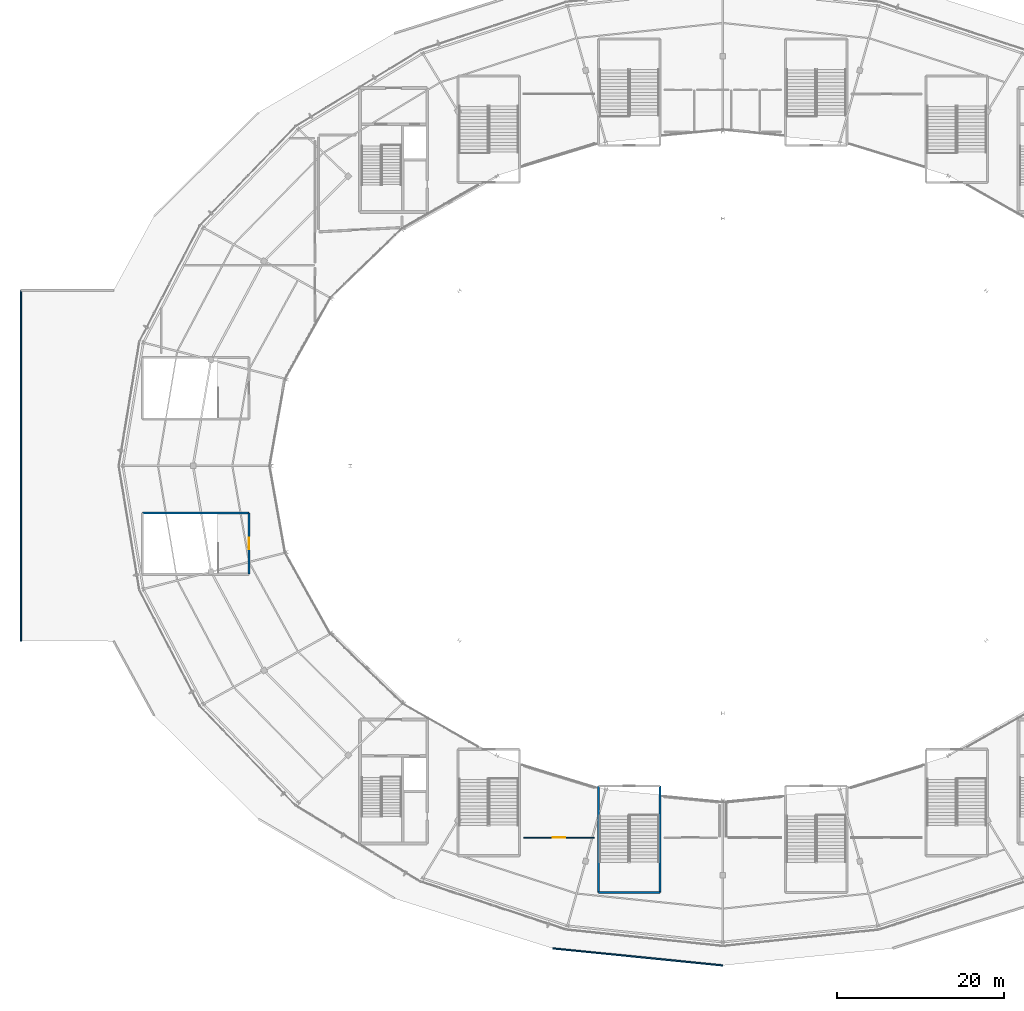
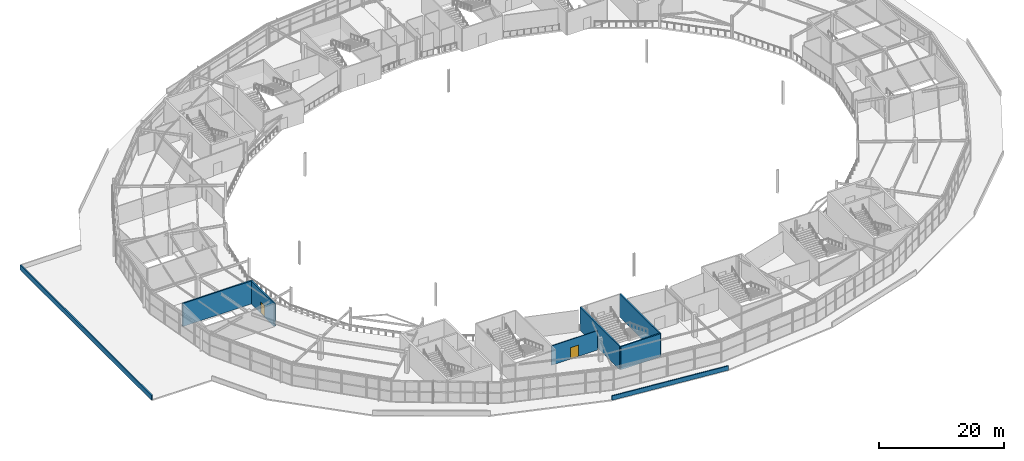
# One storey, part 105 of 126: 8 walls, 2 doors, 2 openings.
"""IFC4 building model written with IfcOpenShell, lengths in metres."""

from ifc_helpers import new_model, si_unit, direction, frame, frame_2d, origin, place, context, subcontext, project, spatial, rectangle, extrude, material, layer, layer_set, type_object, element, fill, save


model = new_model("IFC4")

# Units and contexts
model_context = context("Model", 3, precision=1e-05, world=origin(), true_north=direction((0.0, 1.0)))
body_context = subcontext(model_context, "Body", "Model", "MODEL_VIEW")
ifc_project = project(units=[si_unit("LENGTHUNIT", "METRE"), si_unit("AREAUNIT", "SQUARE_METRE"), si_unit("VOLUMEUNIT", "CUBIC_METRE"), si_unit("PLANEANGLEUNIT", "RADIAN"), si_unit("MASSUNIT", "GRAM", prefix="KILO")], contexts=[model_context])

# Site, building, storey
site_placement = place(None, origin())
site = spatial("IfcSite", under=ifc_project, at=site_placement, CompositionType="ELEMENT")
building_placement = place(site_placement, origin())
building = spatial("IfcBuilding", under=site, at=building_placement, Name="Kalgoora Escarpment Arena", CompositionType="ELEMENT")
storey_placement = place(building_placement, frame((0.0, 0.0, 18.89990234375)))
storey = spatial("IfcBuildingStorey", under=building, at=storey_placement, Name="L04", CompositionType="ELEMENT", Elevation=18.89990234375)

# Wall, opening, door
ifc_material_1 = material(Name="Hospitality acoustic drywall partition", Category="gypsum")
ifc_layer_1 = layer(ifc_material_1, 0.135009765625)
ifc_layer_set_1 = layer_set([ifc_layer_1], Name="WAL-DIN-135")
wall_type_1 = type_object("IfcWallType", Name="WAL-DIN-135", PredefinedType="PARTITIONING", material=ifc_layer_set_1)
wall_1_placement = place(storey_placement, frame((77.02490234375, 19.5, 0.0), z_axis=(0.0, 0.0, 1.0), x_axis=(-1.0, 0.0, 0.0)))
wall_1 = element("IfcWall", 1, at=wall_1_placement, inside=storey, type_object=wall_type_1, Name="L04 Southern Sky Bar 2 partition wall", PredefinedType="PARTITIONING", context=body_context, shape_type="SweptSolid", body=[
    extrude(rectangle(XDim=8.449951171875, YDim=0.135009765625, at=frame_2d((4.22509765625, 0.0))), origin(), (0.0, 0.0, 1.0), 3.779052734375),
])
opening_1_placement = place(wall_1_placement, frame((3.47509765625, 0.0, 0.0)))
opening_1 = element("IfcOpeningElement", 2, at=opening_1_placement, cuts=wall_1, Name="Opening FD-I140", PredefinedType="OPENING", context=body_context, shape_type="SweptSolid", body=[
    extrude(rectangle(XDim=1.5, YDim=2.199951171875, at=frame_2d((0.75, 1.10009765625))), frame((0.0, 0.077392578125, 0.0), z_axis=(0.0, -1.0, 0.0), x_axis=(1.0, 0.0, 0.0)), (0.0, 0.0, 1.0), 0.155029296875),
])
ifc_material_2 = material(Name="Stainless-clad fire-rated kitchen double door")
door_type_1 = type_object("IfcDoorType", Name="DR-KIT-1500", OperationType="NOTDEFINED", PredefinedType="DOOR", material=ifc_material_2)
door_1_placement = place(opening_1_placement, origin())
door_1 = element("IfcDoor", 3, at=door_1_placement, inside=storey, type_object=door_type_1, Name="Southern Sky Bar 2 entrance door", OperationType="DOUBLE_DOOR_SINGLE_SWING", OverallHeight=2.199951171875, OverallWidth=1.5, PredefinedType="DOOR", context=body_context, shape_type="SweptSolid", body=[
    extrude(rectangle(XDim=1.5, YDim=2.199951171875, at=frame_2d((0.75, 1.10009765625))), frame((0.0, 0.02490234375, 0.0), z_axis=(0.0, -1.0, 0.0), x_axis=(1.0, 0.0, 0.0)), (0.0, 0.0, 1.0), 0.050048828125),
])
fill(opening_1, door_1)

# Walls
ifc_material_3 = material(Name="Stepped ziggurat roof parapet Concrete N40 (fc' 40 MPa)", Category="concrete")
ifc_layer_2 = layer(ifc_material_3, 0.18505859375)
ifc_layer_set_2 = layer_set([ifc_layer_2], Name="WAL-PAR-185")
wall_type_2 = type_object("IfcWallType", Name="WAL-PAR-185", PredefinedType="PARAPET", material=ifc_layer_set_2)
wall_2_placement = place(storey_placement, frame((92.39990234375, 4.199951171875, 0.0), z_axis=(0.0, 0.0, 1.0), x_axis=(-0.995021216066, 0.099663331165, 0.0)))
element("IfcWall", 4, at=wall_2_placement, inside=storey, type_object=wall_type_2, Name="L04 stepped ziggurat limestone parapet 018", PredefinedType="PARAPET", context=body_context, shape_type="SweptSolid", body=[
    extrude(rectangle(XDim=20.44482421875, YDim=0.18505859375, at=frame_2d((10.222412109375, 0.0))), origin(), (0.0, 0.0, 1.0), 0.85009765625),
])
ifc_material_4 = material(Name="Precast limestone coping parapet Concrete N40 (fc' 40 MPa)", Category="masonry")
ifc_layer_3 = layer(ifc_material_4, 0.22509765625)
ifc_layer_set_3 = layer_set([ifc_layer_3], Name="WAL-PAR-225")
wall_type_3 = type_object("IfcWallType", Name="WAL-PAR-225", PredefinedType="PARAPET", material=ifc_layer_set_3)
wall_3_placement = place(storey_placement, frame((8.39990234375, 43.0, 0.0), z_axis=(0.0, 0.0, 1.0), x_axis=(0.0, 1.0, 0.0)))
element("IfcWall", 5, at=wall_3_placement, inside=storey, type_object=wall_type_3, Name="L04 stepped ziggurat limestone parapet 021", PredefinedType="PARAPET", context=body_context, shape_type="SweptSolid", body=[
    extrude(rectangle(XDim=42.0, YDim=0.22509765625, at=frame_2d((21.0, 0.0))), origin(), (0.0, 0.0, 1.0), 0.9501953125),
])
ifc_material_5 = material(Name="Concrete N50 (fc' 50 MPa)", Category="concrete")
ifc_layer_4 = layer(ifc_material_5, 0.25)
ifc_layer_set_4 = layer_set([ifc_layer_4], Name="WAL-STAIR-250")
wall_type_4 = type_object("IfcWallType", Name="WAL-STAIR-250", PredefinedType="SHEAR", material=ifc_layer_set_4)
wall_4_placement = place(storey_placement, frame((77.52490234375, 12.925048828125, 0.0), z_axis=(0.0, 0.0, 1.0), x_axis=(1.0, 0.0, 0.0)))
element("IfcWall", 6, at=wall_4_placement, inside=storey, type_object=wall_type_4, Name="Exit stair ST14 L04 south wall", PredefinedType="SHEAR", context=body_context, shape_type="SweptSolid", body=[
    extrude(rectangle(XDim=7.35009765625, YDim=0.25, at=frame_2d((3.675048828125, 0.0))), origin(), (0.0, 0.0, 1.0), 4.5),
])
for number, where, z_axis, x_axis, name in (
    (7, (77.52490234375, 12.925048828125, 0.0), (0.0, 0.0, 1.0), (0.0, 1.0, 0.0), "Exit stair ST14 L04 west wall"),
    (8, (84.875, 12.925048828125, 0.0), (0.0, 0.0, 1.0), (0.0, 1.0, 0.0), "Exit stair ST14 L04 east wall"),
    (9, (22.925048828125, 58.375, 0.0), (0.0, 0.0, 1.0), (1.0, 0.0, 0.0), "Exit stair ST18 L04 north wall"),
):
    element("IfcWall", number, at=place(storey_placement, frame(where, z_axis=z_axis, x_axis=x_axis)), inside=storey, type_object=wall_type_4, Name=name, PredefinedType="SHEAR", context=body_context, shape_type="SweptSolid", body=[
        extrude(rectangle(XDim=12.75, YDim=0.25, at=frame_2d((6.375, 0.0))), origin(), (0.0, 0.0, 1.0), 4.5),
    ])

# Wall, opening, door
wall_5_placement = place(storey_placement, frame((35.675048828125, 51.02490234375, 0.0), z_axis=(0.0, 0.0, 1.0), x_axis=(0.0, 1.0, 0.0)))
wall_5 = element("IfcWall", 10, at=wall_5_placement, inside=storey, type_object=wall_type_4, Name="Exit stair ST18 L04 east wall", PredefinedType="SHEAR", context=body_context, shape_type="SweptSolid", body=[
    extrude(rectangle(XDim=7.35009765625, YDim=0.25, at=frame_2d((3.675048828125, 0.0))), origin(), (0.0, 0.0, 1.0), 4.5),
])
opening_2_placement = place(wall_5_placement, frame((3.014892578125, 0.0, 0.0)))
opening_2 = element("IfcOpeningElement", 11, at=opening_2_placement, cuts=wall_5, Name="Opening FD-ST18", PredefinedType="OPENING", context=body_context, shape_type="SweptSolid", body=[
    extrude(rectangle(XDim=1.320068359375, YDim=2.199951171875, at=frame_2d((0.66015625, 1.10009765625))), frame((0.0, 0.135009765625, 0.0), z_axis=(0.0, -1.0, 0.0), x_axis=(1.0, 0.0, 0.0)), (0.0, 0.0, 1.0), 0.27001953125),
])
ifc_material_6 = material(Name="Fire-rated steel stair leaf with vision panel", Category="steel")
door_type_2 = type_object("IfcDoorType", Name="DR-STAIR-1320", OperationType="NOTDEFINED", PredefinedType="DOOR", material=ifc_material_6)
door_2_placement = place(opening_2_placement, origin())
door_2 = element("IfcDoor", 12, at=door_2_placement, inside=storey, type_object=door_type_2, Name="Fire-isolated stair ST18 L04 egress door", OperationType="SINGLE_SWING_RIGHT", OverallHeight=2.199951171875, OverallWidth=1.320068359375, PredefinedType="DOOR", context=body_context, shape_type="SweptSolid", body=[
    extrude(rectangle(XDim=1.320068359375, YDim=2.199951171875, at=frame_2d((0.66015625, 1.10009765625))), frame((0.0, 0.02490234375, 0.0), z_axis=(0.0, -1.0, 0.0), x_axis=(1.0, 0.0, 0.0)), (0.0, 0.0, 1.0), 0.050048828125),
])
fill(opening_2, door_2)

save(model, "model.ifc")
